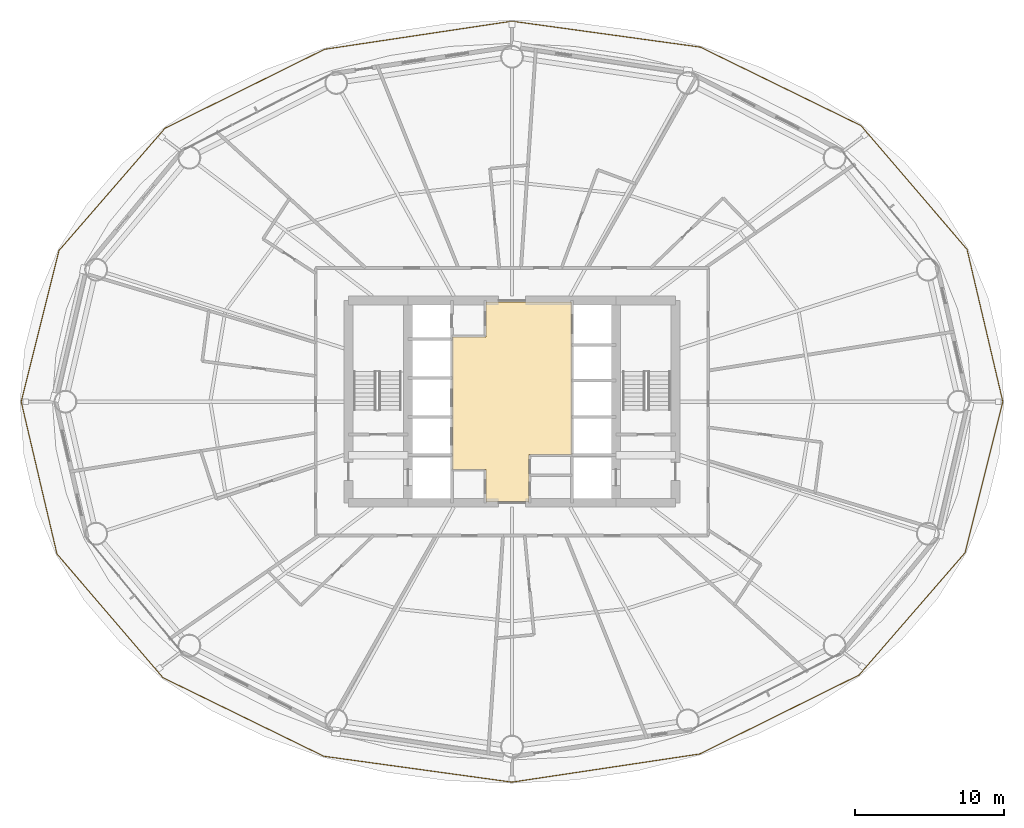
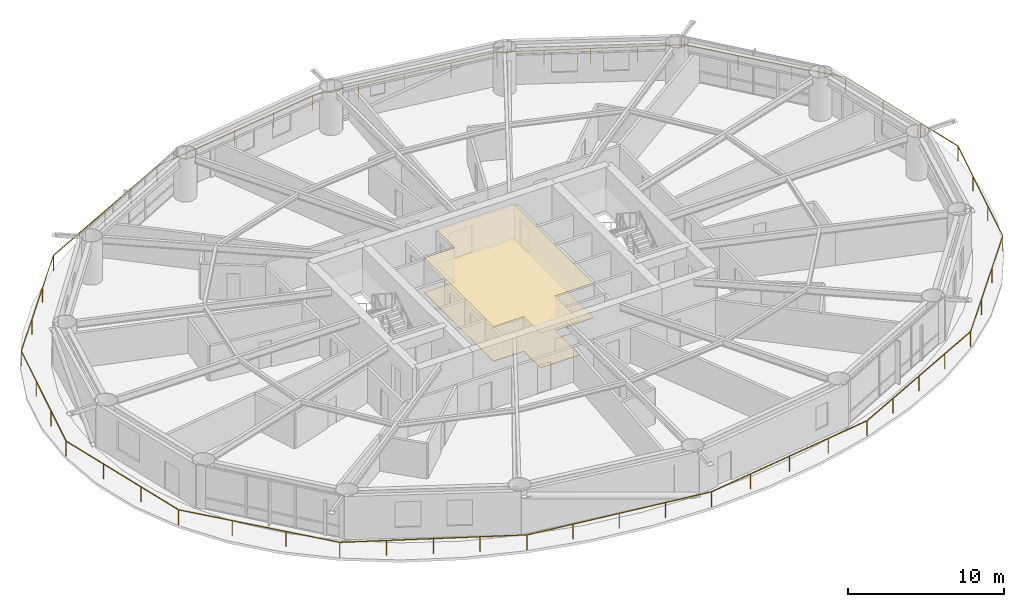
# One storey, part 25 of 26: 2 coverings, 1 railing.
"""IFC4 building model written with IfcOpenShell, lengths in metres."""

from ifc_helpers import new_model, si_unit, direction, frame, origin, origin_2d, place, context, subcontext, project, spatial, polyline, rectangle, outline, extrude, material, layer, layer_set, type_object, element, save


model = new_model("IFC4")

# Units and contexts
model_context = context("Model", 3, precision=1e-05, world=origin(), true_north=direction((0.0, 1.0)))
body_context = subcontext(model_context, "Body", "Model", "MODEL_VIEW")
ifc_project = project(units=[si_unit("LENGTHUNIT", "METRE"), si_unit("AREAUNIT", "SQUARE_METRE"), si_unit("VOLUMEUNIT", "CUBIC_METRE"), si_unit("PLANEANGLEUNIT", "RADIAN"), si_unit("MASSUNIT", "GRAM", prefix="KILO")], contexts=[model_context])

# Site, building, storey
site_placement = place(None, origin())
site = spatial("IfcSite", under=ifc_project, at=site_placement, CompositionType="ELEMENT")
building_placement = place(site_placement, origin())
building = spatial("IfcBuilding", under=site, at=building_placement, Name="Sarneth Arch Tower", CompositionType="ELEMENT")
storey_placement = place(building_placement, frame((0.0, 0.0, 64.199951171875)))
storey = spatial("IfcBuildingStorey", under=building, at=storey_placement, Name="L15", CompositionType="ELEMENT", Elevation=64.199951171875)

# Coverings
ifc_material_1 = material(Name="Perforated acoustic gypsum ceiling board")
ifc_layer_1 = layer(ifc_material_1, 0.02490234375)
ifc_layer_set_1 = layer_set([ifc_layer_1], Name="Perforated acoustic gypsum ceiling board")
covering_type_1 = type_object("IfcCoveringType", Name="COV-CEIL-GYP", PredefinedType="CEILING", material=ifc_layer_set_1)
covering_1_placement = place(storey_placement, frame((0.0, 0.0, 2.7099609375)))
element("IfcCovering", 1, at=covering_1_placement, inside=storey, type_object=covering_type_1, Name="L15 Lift lobby acoustic ceiling", PredefinedType="CEILING", context=body_context, shape_type="SweptSolid", body=[
    extrude(outline(polyline([(49.14990234375, 38.449951171875), (49.14990234375, 35.300048828125), (46.25, 35.300048828125), (46.25, 37.449951171875), (44.0, 37.449951171875), (44.0, 46.35009765625), (46.25, 46.35009765625), (46.25, 48.699951171875), (52.0, 48.699951171875), (52.0, 38.449951171875), (49.14990234375, 38.449951171875)])), origin(), (0.0, 0.0, 1.0), 0.030029296875),
])
ifc_material_2 = material(Name="Honed granite stone flooring", Category="masonry")
ifc_layer_2 = layer(ifc_material_2, 0.030029296875)
ifc_layer_set_2 = layer_set([ifc_layer_2], Name="Honed granite stone flooring")
covering_type_2 = type_object("IfcCoveringType", Name="COV-FLR-STONE", PredefinedType="FLOORING", material=ifc_layer_set_2)
covering_2_placement = place(storey_placement, origin())
element("IfcCovering", 2, at=covering_2_placement, inside=storey, type_object=covering_type_2, Name="L15 Lift lobby granite flooring", PredefinedType="FLOORING", context=body_context, shape_type="SweptSolid", body=[
    extrude(outline(polyline([(49.14990234375, 38.449951171875), (49.14990234375, 35.300048828125), (46.25, 35.300048828125), (46.25, 37.449951171875), (44.0, 37.449951171875), (44.0, 46.35009765625), (46.25, 46.35009765625), (46.25, 48.699951171875), (52.0, 48.699951171875), (52.0, 38.449951171875), (49.14990234375, 38.449951171875)])), origin(), (0.0, 0.0, 1.0), 0.030029296875),
])

# Railing
ifc_material_3 = material(Name="Laminated structural glass infill with Stainless Steel 316 top rail and posts", Category="steel")
railing_type = type_object("IfcRailingType", Name="RAIL-BALC-1200", PredefinedType="BALUSTRADE", material=ifc_material_3)
railing_placement = place(storey_placement, frame((81.010009765625, 42.0, 0.0)))
element("IfcRailing", 3, at=railing_placement, inside=storey, type_object=railing_type, Name="L15 Helical balcony glass balustrade", PredefinedType="BALUSTRADE", context=body_context, shape_type="SweptSolid", body=[
    extrude(rectangle(XDim=0.048095703125, YDim=0.048095703125, at=origin_2d()), frame((0.0, 0.0, 1.17578125), z_axis=(-0.228651237107, 0.973508403543, 0.0), x_axis=(-0.973508403543, -0.228651237107, 0.0)), (0.0, 0.0, 1.0), 10.519287109375),
    extrude(rectangle(XDim=0.048095703125, YDim=0.048095703125, at=origin_2d()), frame((-2.4052734375, 10.24072265625, 1.17578125), z_axis=(-0.650552855448, 0.7594609814, 0.0), x_axis=(-0.7594609814, -0.650552855448, 0.0)), (0.0, 0.0, 1.0), 10.959716796875),
    extrude(rectangle(XDim=0.048095703125, YDim=0.048095703125, at=origin_2d()), frame((-9.53515625, 18.564208984375, 1.17578125), z_axis=(-0.898554124728, 0.438862717639, 0.0), x_axis=(-0.438862717639, -0.898554124728, 0.0)), (0.0, 0.0, 1.0), 12.037841796875),
    extrude(rectangle(XDim=0.048095703125, YDim=0.048095703125, at=origin_2d()), frame((-20.351806640625, 23.84716796875, 1.17578125), z_axis=(-0.990658458934, 0.136366483209, 0.0), x_axis=(-0.136366483209, -0.990658458934, 0.0)), (0.0, 0.0, 1.0), 12.777587890625),
    extrude(rectangle(XDim=0.048095703125, YDim=0.048095703125, at=origin_2d()), frame((-33.010009765625, 25.589599609375, 1.17578125), z_axis=(-0.988928628044, -0.148391942619, 0.0), x_axis=(0.148391942619, -0.988928628044, 0.0)), (0.0, 0.0, 1.0), 12.752197265625),
    extrude(rectangle(XDim=0.048095703125, YDim=0.048095703125, at=origin_2d()), frame((-45.62109375, 23.697265625, 1.17578125), z_axis=(-0.896238779924, -0.443571921295, 0.0), x_axis=(0.443571921295, -0.896238779924, 0.0)), (0.0, 0.0, 1.0), 11.97216796875),
    extrude(rectangle(XDim=0.048095703125, YDim=0.048095703125, at=origin_2d()), frame((-56.35107421875, 18.38671875, 1.17578125), z_axis=(-0.654939080421, -0.755681679636, 0.0), x_axis=(0.755681679636, -0.654939080421, 0.0)), (0.0, 0.0, 1.0), 10.881103515625),
    extrude(rectangle(XDim=0.048095703125, YDim=0.048095703125, at=origin_2d()), frame((-63.4775390625, 10.1640625, 1.17578125), z_axis=(-0.242667210669, -0.970109594255, 0.0), x_axis=(0.970109594255, -0.242667210669, 0.0)), (0.0, 0.0, 1.0), 10.477294921875),
    extrude(rectangle(XDim=0.048095703125, YDim=0.048095703125, at=origin_2d()), frame((-66.02001953125, 0.0, 1.17578125), z_axis=(0.228651237107, -0.973508403543, 0.0), x_axis=(0.973508403543, 0.228651237107, 0.0)), (0.0, 0.0, 1.0), 10.519287109375),
    extrude(rectangle(XDim=0.048095703125, YDim=0.048095703125, at=origin_2d()), frame((-63.61474609375, -10.24072265625, 1.17578125), z_axis=(0.650552855448, -0.7594609814, 0.0), x_axis=(0.7594609814, 0.650552855448, 0.0)), (0.0, 0.0, 1.0), 10.959716796875),
    extrude(rectangle(XDim=0.048095703125, YDim=0.048095703125, at=origin_2d()), frame((-56.48486328125, -18.564208984375, 1.17578125), z_axis=(0.898554124728, -0.438862717639, 0.0), x_axis=(0.438862717639, 0.898554124728, 0.0)), (0.0, 0.0, 1.0), 12.037841796875),
    extrude(rectangle(XDim=0.048095703125, YDim=0.048095703125, at=origin_2d()), frame((-45.668212890625, -23.84716796875, 1.17578125), z_axis=(0.990658458934, -0.136366483209, 0.0), x_axis=(0.136366483209, 0.990658458934, 0.0)), (0.0, 0.0, 1.0), 12.777587890625),
    extrude(rectangle(XDim=0.048095703125, YDim=0.048095703125, at=origin_2d()), frame((-33.010009765625, -25.589599609375, 1.17578125), z_axis=(0.988928628044, 0.148391942619, 0.0), x_axis=(-0.148391942619, 0.988928628044, 0.0)), (0.0, 0.0, 1.0), 12.752197265625),
    extrude(rectangle(XDim=0.048095703125, YDim=0.048095703125, at=origin_2d()), frame((-20.39892578125, -23.697265625, 1.17578125), z_axis=(0.896238779924, 0.443571921295, 0.0), x_axis=(-0.443571921295, 0.896238779924, 0.0)), (0.0, 0.0, 1.0), 11.97216796875),
    extrude(rectangle(XDim=0.048095703125, YDim=0.048095703125, at=origin_2d()), frame((-9.6689453125, -18.38671875, 1.17578125), z_axis=(0.654939080421, 0.755681679636, 0.0), x_axis=(-0.755681679636, 0.654939080421, 0.0)), (0.0, 0.0, 1.0), 10.881103515625),
    extrude(rectangle(XDim=0.048095703125, YDim=0.048095703125, at=origin_2d()), frame((-2.54248046875, -10.1640625, 1.17578125), z_axis=(0.242667210669, 0.970109594255, 0.0), x_axis=(-0.970109594255, 0.242667210669, 0.0)), (0.0, 0.0, 1.0), 10.477294921875),
    extrude(rectangle(XDim=0.0419921875, YDim=0.0419921875, at=origin_2d()), origin(), (0.0, 0.0, 1.0), 1.15185546875),
    extrude(rectangle(XDim=0.0419921875, YDim=0.0419921875, at=origin_2d()), frame((-0.8017578125, 3.41357421875, 0.0)), (0.0, 0.0, 1.0), 1.15185546875),
    extrude(rectangle(XDim=0.0419921875, YDim=0.0419921875, at=origin_2d()), frame((-1.603515625, 6.8271484375, 0.0)), (0.0, 0.0, 1.0), 1.15185546875),
    extrude(rectangle(XDim=0.0419921875, YDim=0.0419921875, at=origin_2d()), frame((-2.4052734375, 10.24072265625, 0.0)), (0.0, 0.0, 1.0), 1.15185546875),
    extrude(rectangle(XDim=0.0419921875, YDim=0.0419921875, at=origin_2d()), frame((-4.781982421875, 13.01513671875, 0.0)), (0.0, 0.0, 1.0), 1.15185546875),
    extrude(rectangle(XDim=0.0419921875, YDim=0.0419921875, at=origin_2d()), frame((-7.158447265625, 15.789794921875, 0.0)), (0.0, 0.0, 1.0), 1.15185546875),
    extrude(rectangle(XDim=0.0419921875, YDim=0.0419921875, at=origin_2d()), frame((-9.53515625, 18.564208984375, 0.0)), (0.0, 0.0, 1.0), 1.15185546875),
    extrude(rectangle(XDim=0.0419921875, YDim=0.0419921875, at=origin_2d()), frame((-12.2392578125, 19.885009765625, 0.0)), (0.0, 0.0, 1.0), 1.15185546875),
    extrude(rectangle(XDim=0.0419921875, YDim=0.0419921875, at=origin_2d()), frame((-14.943359375, 21.20556640625, 0.0)), (0.0, 0.0, 1.0), 1.15185546875),
    extrude(rectangle(XDim=0.0419921875, YDim=0.0419921875, at=origin_2d()), frame((-17.647705078125, 22.5263671875, 0.0)), (0.0, 0.0, 1.0), 1.15185546875),
    extrude(rectangle(XDim=0.0419921875, YDim=0.0419921875, at=origin_2d()), frame((-20.351806640625, 23.84716796875, 0.0)), (0.0, 0.0, 1.0), 1.15185546875),
    extrude(rectangle(XDim=0.0419921875, YDim=0.0419921875, at=origin_2d()), frame((-23.516357421875, 24.28271484375, 0.0)), (0.0, 0.0, 1.0), 1.15185546875),
    extrude(rectangle(XDim=0.0419921875, YDim=0.0419921875, at=origin_2d()), frame((-26.680908203125, 24.71826171875, 0.0)), (0.0, 0.0, 1.0), 1.15185546875),
    extrude(rectangle(XDim=0.0419921875, YDim=0.0419921875, at=origin_2d()), frame((-29.845458984375, 25.154052734375, 0.0)), (0.0, 0.0, 1.0), 1.15185546875),
    extrude(rectangle(XDim=0.0419921875, YDim=0.0419921875, at=origin_2d()), frame((-33.010009765625, 25.589599609375, 0.0)), (0.0, 0.0, 1.0), 1.15185546875),
    extrude(rectangle(XDim=0.0419921875, YDim=0.0419921875, at=origin_2d()), frame((-36.162841796875, 25.116455078125, 0.0)), (0.0, 0.0, 1.0), 1.15185546875),
    extrude(rectangle(XDim=0.0419921875, YDim=0.0419921875, at=origin_2d()), frame((-39.3154296875, 24.6435546875, 0.0)), (0.0, 0.0, 1.0), 1.15185546875),
    extrude(rectangle(XDim=0.0419921875, YDim=0.0419921875, at=origin_2d()), frame((-42.46826171875, 24.17041015625, 0.0)), (0.0, 0.0, 1.0), 1.15185546875),
    extrude(rectangle(XDim=0.0419921875, YDim=0.0419921875, at=origin_2d()), frame((-45.62109375, 23.697265625, 0.0)), (0.0, 0.0, 1.0), 1.15185546875),
    extrude(rectangle(XDim=0.0419921875, YDim=0.0419921875, at=origin_2d()), frame((-48.3037109375, 22.36962890625, 0.0)), (0.0, 0.0, 1.0), 1.15185546875),
    extrude(rectangle(XDim=0.0419921875, YDim=0.0419921875, at=origin_2d()), frame((-50.986083984375, 21.0419921875, 0.0)), (0.0, 0.0, 1.0), 1.15185546875),
    extrude(rectangle(XDim=0.0419921875, YDim=0.0419921875, at=origin_2d()), frame((-53.66845703125, 19.71435546875, 0.0)), (0.0, 0.0, 1.0), 1.15185546875),
    extrude(rectangle(XDim=0.0419921875, YDim=0.0419921875, at=origin_2d()), frame((-56.35107421875, 18.38671875, 0.0)), (0.0, 0.0, 1.0), 1.15185546875),
    extrude(rectangle(XDim=0.0419921875, YDim=0.0419921875, at=origin_2d()), frame((-58.7265625, 15.645751953125, 0.0)), (0.0, 0.0, 1.0), 1.15185546875),
    extrude(rectangle(XDim=0.0419921875, YDim=0.0419921875, at=origin_2d()), frame((-61.10205078125, 12.905029296875, 0.0)), (0.0, 0.0, 1.0), 1.15185546875),
    extrude(rectangle(XDim=0.0419921875, YDim=0.0419921875, at=origin_2d()), frame((-63.4775390625, 10.1640625, 0.0)), (0.0, 0.0, 1.0), 1.15185546875),
    extrude(rectangle(XDim=0.0419921875, YDim=0.0419921875, at=origin_2d()), frame((-64.324951171875, 6.776123046875, 0.0)), (0.0, 0.0, 1.0), 1.15185546875),
    extrude(rectangle(XDim=0.0419921875, YDim=0.0419921875, at=origin_2d()), frame((-65.172607421875, 3.387939453125, 0.0)), (0.0, 0.0, 1.0), 1.15185546875),
    extrude(rectangle(XDim=0.0419921875, YDim=0.0419921875, at=origin_2d()), frame((-66.02001953125, 0.0, 0.0)), (0.0, 0.0, 1.0), 1.15185546875),
    extrude(rectangle(XDim=0.0419921875, YDim=0.0419921875, at=origin_2d()), frame((-65.21826171875, -3.41357421875, 0.0)), (0.0, 0.0, 1.0), 1.15185546875),
    extrude(rectangle(XDim=0.0419921875, YDim=0.0419921875, at=origin_2d()), frame((-64.41650390625, -6.8271484375, 0.0)), (0.0, 0.0, 1.0), 1.15185546875),
    extrude(rectangle(XDim=0.0419921875, YDim=0.0419921875, at=origin_2d()), frame((-63.61474609375, -10.24072265625, 0.0)), (0.0, 0.0, 1.0), 1.15185546875),
    extrude(rectangle(XDim=0.0419921875, YDim=0.0419921875, at=origin_2d()), frame((-61.238037109375, -13.01513671875, 0.0)), (0.0, 0.0, 1.0), 1.15185546875),
    extrude(rectangle(XDim=0.0419921875, YDim=0.0419921875, at=origin_2d()), frame((-58.861572265625, -15.789794921875, 0.0)), (0.0, 0.0, 1.0), 1.15185546875),
    extrude(rectangle(XDim=0.0419921875, YDim=0.0419921875, at=origin_2d()), frame((-56.48486328125, -18.564208984375, 0.0)), (0.0, 0.0, 1.0), 1.15185546875),
    extrude(rectangle(XDim=0.0419921875, YDim=0.0419921875, at=origin_2d()), frame((-53.78076171875, -19.885009765625, 0.0)), (0.0, 0.0, 1.0), 1.15185546875),
    extrude(rectangle(XDim=0.0419921875, YDim=0.0419921875, at=origin_2d()), frame((-51.07666015625, -21.20556640625, 0.0)), (0.0, 0.0, 1.0), 1.15185546875),
    extrude(rectangle(XDim=0.0419921875, YDim=0.0419921875, at=origin_2d()), frame((-48.372314453125, -22.5263671875, 0.0)), (0.0, 0.0, 1.0), 1.15185546875),
    extrude(rectangle(XDim=0.0419921875, YDim=0.0419921875, at=origin_2d()), frame((-45.668212890625, -23.84716796875, 0.0)), (0.0, 0.0, 1.0), 1.15185546875),
    extrude(rectangle(XDim=0.0419921875, YDim=0.0419921875, at=origin_2d()), frame((-42.503662109375, -24.28271484375, 0.0)), (0.0, 0.0, 1.0), 1.15185546875),
    extrude(rectangle(XDim=0.0419921875, YDim=0.0419921875, at=origin_2d()), frame((-39.339111328125, -24.71826171875, 0.0)), (0.0, 0.0, 1.0), 1.15185546875),
    extrude(rectangle(XDim=0.0419921875, YDim=0.0419921875, at=origin_2d()), frame((-36.174560546875, -25.154052734375, 0.0)), (0.0, 0.0, 1.0), 1.15185546875),
    extrude(rectangle(XDim=0.0419921875, YDim=0.0419921875, at=origin_2d()), frame((-33.010009765625, -25.589599609375, 0.0)), (0.0, 0.0, 1.0), 1.15185546875),
    extrude(rectangle(XDim=0.0419921875, YDim=0.0419921875, at=origin_2d()), frame((-29.857177734375, -25.116455078125, 0.0)), (0.0, 0.0, 1.0), 1.15185546875),
    extrude(rectangle(XDim=0.0419921875, YDim=0.0419921875, at=origin_2d()), frame((-26.70458984375, -24.6435546875, 0.0)), (0.0, 0.0, 1.0), 1.15185546875),
    extrude(rectangle(XDim=0.0419921875, YDim=0.0419921875, at=origin_2d()), frame((-23.5517578125, -24.17041015625, 0.0)), (0.0, 0.0, 1.0), 1.15185546875),
    extrude(rectangle(XDim=0.0419921875, YDim=0.0419921875, at=origin_2d()), frame((-20.39892578125, -23.697265625, 0.0)), (0.0, 0.0, 1.0), 1.15185546875),
    extrude(rectangle(XDim=0.0419921875, YDim=0.0419921875, at=origin_2d()), frame((-17.71630859375, -22.36962890625, 0.0)), (0.0, 0.0, 1.0), 1.15185546875),
    extrude(rectangle(XDim=0.0419921875, YDim=0.0419921875, at=origin_2d()), frame((-15.033935546875, -21.0419921875, 0.0)), (0.0, 0.0, 1.0), 1.15185546875),
    extrude(rectangle(XDim=0.0419921875, YDim=0.0419921875, at=origin_2d()), frame((-12.3515625, -19.71435546875, 0.0)), (0.0, 0.0, 1.0), 1.15185546875),
    extrude(rectangle(XDim=0.0419921875, YDim=0.0419921875, at=origin_2d()), frame((-9.6689453125, -18.38671875, 0.0)), (0.0, 0.0, 1.0), 1.15185546875),
    extrude(rectangle(XDim=0.0419921875, YDim=0.0419921875, at=origin_2d()), frame((-7.29345703125, -15.645751953125, 0.0)), (0.0, 0.0, 1.0), 1.15185546875),
    extrude(rectangle(XDim=0.0419921875, YDim=0.0419921875, at=origin_2d()), frame((-4.91796875, -12.905029296875, 0.0)), (0.0, 0.0, 1.0), 1.15185546875),
    extrude(rectangle(XDim=0.0419921875, YDim=0.0419921875, at=origin_2d()), frame((-2.54248046875, -10.1640625, 0.0)), (0.0, 0.0, 1.0), 1.15185546875),
    extrude(rectangle(XDim=0.0419921875, YDim=0.0419921875, at=origin_2d()), frame((-1.695068359375, -6.776123046875, 0.0)), (0.0, 0.0, 1.0), 1.15185546875),
    extrude(rectangle(XDim=0.0419921875, YDim=0.0419921875, at=origin_2d()), frame((-0.847412109375, -3.387939453125, 0.0)), (0.0, 0.0, 1.0), 1.15185546875),
])

save(model, "model.ifc")
